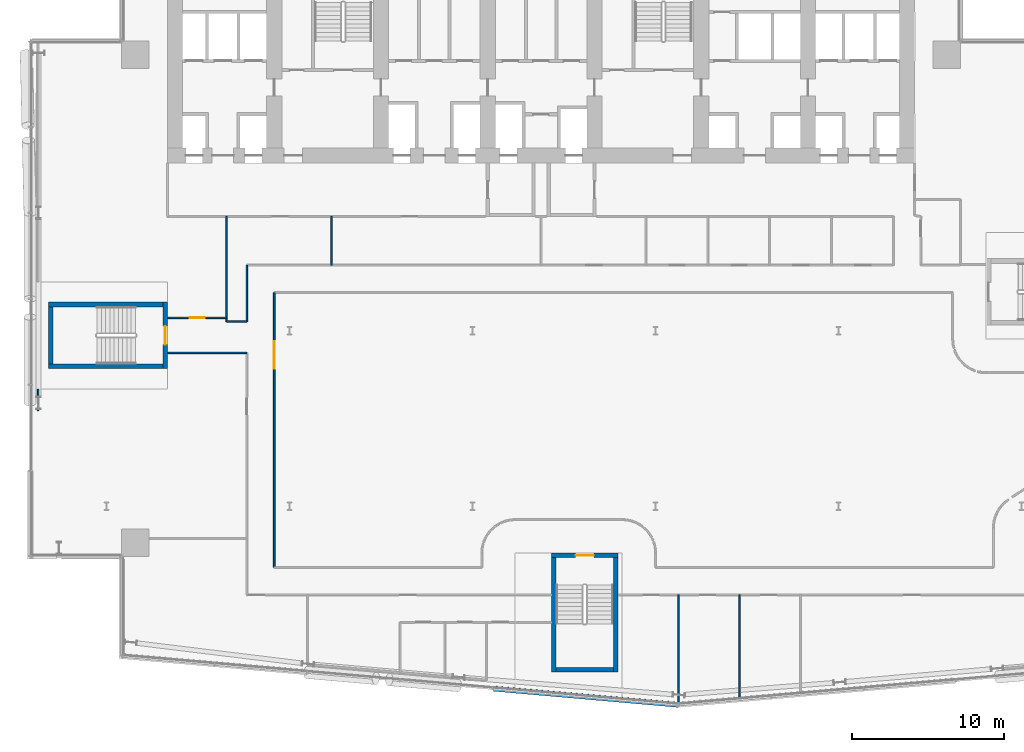
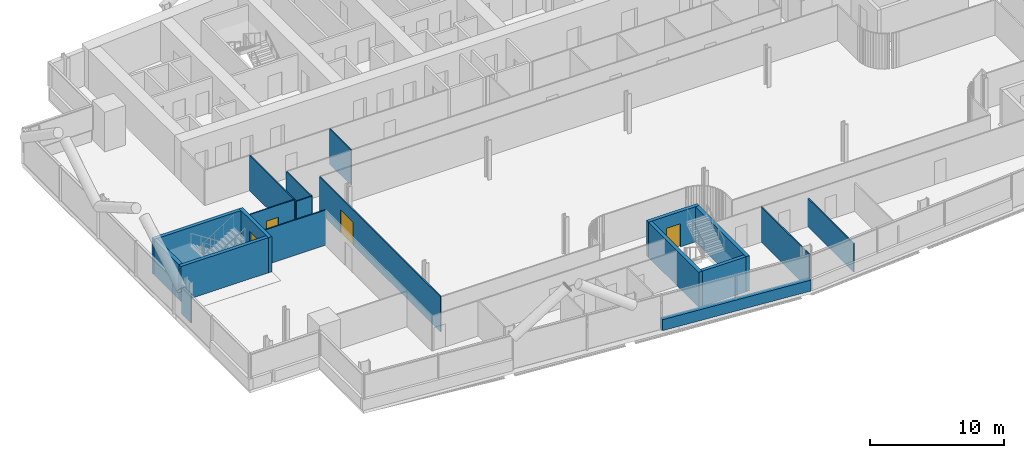
# One storey, part 15 of 30: 19 walls, 4 doors, 4 openings.
"""IFC4 building model written with IfcOpenShell, lengths in metres."""

from ifc_helpers import new_model, si_unit, direction, frame, frame_2d, origin, place, context, subcontext, project, spatial, rectangle, extrude, material, layer, layer_set, type_object, element, fill, save


model = new_model("IFC4")

# Units and contexts
model_context = context("Model", 3, precision=1e-05, world=origin(), true_north=direction((0.0, 1.0)))
body_context = subcontext(model_context, "Body", "Model", "MODEL_VIEW")
ifc_project = project(units=[si_unit("LENGTHUNIT", "METRE"), si_unit("AREAUNIT", "SQUARE_METRE"), si_unit("VOLUMEUNIT", "CUBIC_METRE"), si_unit("PLANEANGLEUNIT", "RADIAN"), si_unit("MASSUNIT", "GRAM", prefix="KILO")], contexts=[model_context])

# Site, building, storey
site_placement = place(None, origin())
site = spatial("IfcSite", under=ifc_project, at=site_placement, CompositionType="ELEMENT")
building_placement = place(site_placement, origin())
building = spatial("IfcBuilding", under=site, at=building_placement, Name="Wharfspan Tower", CompositionType="ELEMENT")
storey_placement = place(building_placement, frame((0.0, 0.0, 107.5)))
storey = spatial("IfcBuildingStorey", under=building, at=storey_placement, Name="L24", CompositionType="ELEMENT", Elevation=107.5)

# Wall
ifc_material_1 = material(Name="Gypsum board on steel studs", Category="steel")
ifc_layer_1 = layer(ifc_material_1, 0.100098)
ifc_layer_set_1 = layer_set([ifc_layer_1], Name="Gypsum board on steel studs")
wall_type_1 = type_object("IfcWallType", Name="Compartment wall 100 EI 60", PredefinedType="PARTITIONING", material=ifc_layer_set_1)
wall_1_placement = place(storey_placement, frame((16.02002, 21.550049, 0.0), z_axis=(0.0, 0.0, 1.0), x_axis=(1.0, 0.0, 0.0)))
element("IfcWall", 1, at=wall_1_placement, inside=storey, type_object=wall_type_1, Name="Partition L24.w006", PredefinedType="PARTITIONING", context=body_context, shape_type="SweptSolid", body=[
    extrude(rectangle(XDim=5.179932, YDim=0.100098, at=frame_2d((2.589844, 0.0))), origin(), (0.0, 0.0, 1.0), 3.199951),
])

# Wall, opening, door
wall_2_placement = place(storey_placement, frame((16.02002, 23.850098, 0.0), z_axis=(0.0, 0.0, 1.0), x_axis=(1.0, 0.0, 0.0)))
wall_2 = element("IfcWall", 2, at=wall_2_placement, inside=storey, type_object=wall_type_1, Name="Partition L24.w007", PredefinedType="PARTITIONING", context=body_context, shape_type="SweptSolid", body=[
    extrude(rectangle(XDim=3.85498, YDim=0.100098, at=frame_2d((1.92749, 0.0))), origin(), (0.0, 0.0, 1.0), 3.199951),
])
opening_1_placement = place(wall_2_placement, frame((1.435059, 0.0, 0.0)))
opening_1 = element("IfcOpeningElement", 3, at=opening_1_placement, cuts=wall_2, Name="Opening B2-13", PredefinedType="OPENING", context=body_context, shape_type="SweptSolid", body=[
    extrude(rectangle(XDim=1.0, YDim=2.100098, at=frame_2d((0.5, 1.050049))), frame((0.0, 0.060059, 0.0), z_axis=(0.0, -1.0, 0.0), x_axis=(1.0, 0.0, 0.0)), (0.0, 0.0, 1.0), 0.120117),
])
ifc_material_2 = material(Name="Fire-rated timber door leaf in steel frame", Category="steel")
door_type_1 = type_object("IfcDoorType", Name="Door 1000 FD30S Right", OperationType="SINGLE_SWING_RIGHT", PredefinedType="DOOR", material=ifc_material_2)
door_1_placement = place(opening_1_placement, origin())
door_1 = element("IfcDoor", 4, at=door_1_placement, inside=storey, type_object=door_type_1, Name="Door B2-13", OperationType="SINGLE_SWING_RIGHT", OverallHeight=2.100098, OverallWidth=1.0, PredefinedType="DOOR", context=body_context, shape_type="SweptSolid", body=[
    extrude(rectangle(XDim=1.0, YDim=2.100098, at=frame_2d((0.5, 1.050049))), frame((0.0, 0.024902, 0.0), z_axis=(0.0, -1.0, 0.0), x_axis=(1.0, 0.0, 0.0)), (0.0, 0.0, 1.0), 0.050049),
])
fill(opening_1, door_1)

# Walls
wall_3_placement = place(storey_placement, frame((19.875, 23.600098, 0.0), z_axis=(0.0, 0.0, 1.0), x_axis=(0.0, 1.0, 0.0)))
element("IfcWall", 5, at=wall_3_placement, inside=storey, type_object=wall_type_1, Name="Partition L24.w008", PredefinedType="PARTITIONING", context=body_context, shape_type="SweptSolid", body=[
    extrude(rectangle(XDim=6.899902, YDim=0.100098, at=frame_2d((3.449951, 0.0))), origin(), (0.0, 0.0, 1.0), 3.199951),
])
wall_4_placement = place(storey_placement, frame((19.875, 23.600098, 0.0), z_axis=(0.0, 0.0, 1.0), x_axis=(1.0, 0.0, 0.0)))
element("IfcWall", 6, at=wall_4_placement, inside=storey, type_object=wall_type_1, Name="Partition L24.w009", PredefinedType="PARTITIONING", context=body_context, shape_type="SweptSolid", body=[
    extrude(rectangle(XDim=1.324951, YDim=0.100098, at=frame_2d((0.662598, 0.0))), origin(), (0.0, 0.0, 1.0), 3.199951),
])
wall_5_placement = place(storey_placement, frame((21.199951, 23.600098, 0.0), z_axis=(0.0, 0.0, 1.0), x_axis=(0.0, 1.0, 0.0)))
element("IfcWall", 7, at=wall_5_placement, inside=storey, type_object=wall_type_1, Name="Partition L24.w012", PredefinedType="PARTITIONING", context=body_context, shape_type="SweptSolid", body=[
    extrude(rectangle(XDim=3.699951, YDim=0.100098, at=frame_2d((1.850098, 0.0))), origin(), (0.0, 0.0, 1.0), 3.199951),
])

# Wall, opening, door
wall_6_placement = place(storey_placement, frame((23.0, 7.485107, 0.0), z_axis=(0.0, 0.0, 1.0), x_axis=(0.0, 1.0, 0.0)))
wall_6 = element("IfcWall", 8, at=wall_6_placement, inside=storey, type_object=wall_type_1, Name="Partition L24.w014", PredefinedType="PARTITIONING", context=body_context, shape_type="SweptSolid", body=[
    extrude(rectangle(XDim=18.014893, YDim=0.100098, at=frame_2d((9.007324, 0.0))), origin(), (0.0, 0.0, 1.0), 3.199951),
])
opening_2_placement = place(wall_6_placement, frame((13.028809, 0.0, 0.0)))
opening_2 = element("IfcOpeningElement", 9, at=opening_2_placement, cuts=wall_6, Name="Opening B2-12", PredefinedType="OPENING", context=body_context, shape_type="SweptSolid", body=[
    extrude(rectangle(XDim=1.800049, YDim=2.100098, at=frame_2d((0.899902, 1.050049))), frame((0.0, 0.060059, 0.0), z_axis=(0.0, -1.0, 0.0), x_axis=(1.0, 0.0, 0.0)), (0.0, 0.0, 1.0), 0.120117),
])
door_type_2 = type_object("IfcDoorType", Name="Door 1800 FD30S Double", OperationType="DOUBLE_DOOR_SINGLE_SWING", PredefinedType="DOOR", material=ifc_material_2)
door_2_placement = place(opening_2_placement, origin())
door_2 = element("IfcDoor", 10, at=door_2_placement, inside=storey, type_object=door_type_2, Name="Door B2-12", OperationType="DOUBLE_DOOR_SINGLE_SWING", OverallHeight=2.100098, OverallWidth=1.800049, PredefinedType="DOOR", context=body_context, shape_type="SweptSolid", body=[
    extrude(rectangle(XDim=1.800049, YDim=2.100098, at=frame_2d((0.899902, 1.050049))), frame((0.0, 0.024902, 0.0), z_axis=(0.0, -1.0, 0.0), x_axis=(1.0, 0.0, 0.0)), (0.0, 0.0, 1.0), 0.050049),
])
fill(opening_2, door_2)

# Walls
wall_7_placement = place(storey_placement, frame((26.75, 27.300049, 0.0), z_axis=(0.0, 0.0, 1.0), x_axis=(0.0, 1.0, 0.0)))
element("IfcWall", 11, at=wall_7_placement, inside=storey, type_object=wall_type_1, Name="Partition L24.w018", PredefinedType="PARTITIONING", context=body_context, shape_type="SweptSolid", body=[
    extrude(rectangle(XDim=3.199951, YDim=0.100098, at=frame_2d((1.600098, 0.0))), origin(), (0.0, 0.0, 1.0), 3.199951),
])
wall_8_placement = place(storey_placement, frame((49.5, -1.498291, 0.0), z_axis=(0.0, 0.0, 1.0), x_axis=(0.0, 1.0, 0.0)))
element("IfcWall", 12, at=wall_8_placement, inside=storey, type_object=wall_type_1, Name="Partition L24.w069", PredefinedType="PARTITIONING", context=body_context, shape_type="SweptSolid", body=[
    extrude(rectangle(XDim=7.178223, YDim=0.100098, at=frame_2d((3.589111, 0.0))), origin(), (0.0, 0.0, 1.0), 3.199951),
])
wall_9_placement = place(storey_placement, frame((53.5, -1.148193, 0.0), z_axis=(0.0, 0.0, 1.0), x_axis=(0.0, 1.0, 0.0)))
element("IfcWall", 13, at=wall_9_placement, inside=storey, type_object=wall_type_1, Name="Partition L24.w071", PredefinedType="PARTITIONING", context=body_context, shape_type="SweptSolid", body=[
    extrude(rectangle(XDim=6.828125, YDim=0.100098, at=frame_2d((3.414062, 0.0))), origin(), (0.0, 0.0, 1.0), 2.580078),
])
ifc_layer_2 = layer(ifc_material_1, 0.100098)
ifc_layer_set_2 = layer_set([ifc_layer_2], Name="Gypsum board on steel studs")
wall_type_2 = type_object("IfcWallType", Name="Partition 100", PredefinedType="PARTITIONING", material=ifc_layer_set_2)
wall_10_placement = place(storey_placement, frame((7.51001, 17.764893, 0.0), z_axis=(0.0, 0.0, 1.0), x_axis=(0.0, 1.0, 0.0)))
element("IfcWall", 14, at=wall_10_placement, inside=storey, type_object=wall_type_2, Name="Partition L24.w001", PredefinedType="PARTITIONING", context=body_context, shape_type="SweptSolid", body=[
    extrude(rectangle(XDim=1.415039, YDim=0.100098, at=frame_2d((0.70752, 0.0))), origin(), (0.0, 0.0, 1.0), 2.580078),
])
ifc_material_3 = material(Name="Concrete C40/50", Category="concrete")
ifc_layer_3 = layer(ifc_material_3, 0.350098)
ifc_layer_set_3 = layer_set([ifc_layer_3], Name="Concrete C40/50")
wall_type_3 = type_object("IfcWallType", Name="SPANDREL EXPOSED CONCRETE 350", PredefinedType="SOLIDWALL", material=ifc_layer_set_3)
wall_11_placement = place(storey_placement, frame((37.362793, -0.461426, 0.0), z_axis=(0.0, 0.0, 1.0), x_axis=(0.996194, -0.087159, 0.0)))
element("IfcWall", 15, at=wall_11_placement, inside=storey, type_object=wall_type_3, Name="Spandrel upstand L24 S1 2", PredefinedType="SOLIDWALL", context=body_context, shape_type="SweptSolid", body=[
    extrude(rectangle(XDim=12.19873, YDim=0.350098, at=frame_2d((6.099365, 0.0))), origin(), (0.0, 0.0, 1.0), 1.0),
])

# Wall, opening, door
ifc_layer_4 = layer(ifc_material_3, 0.300049)
ifc_layer_set_4 = layer_set([ifc_layer_4], Name="Concrete C40/50")
wall_type_4 = type_object("IfcWallType", Name="Stair core wall 300", PredefinedType="SHEAR", material=ifc_layer_set_4)
wall_12_placement = place(storey_placement, frame((15.850098, 20.524902, 0.0), z_axis=(0.0, 0.0, 1.0), x_axis=(0.0, 1.0, 0.0)))
wall_12 = element("IfcWall", 16, at=wall_12_placement, inside=storey, type_object=wall_type_4, Name="ST3 stair enclosure wall L24", PredefinedType="SHEAR", context=body_context, shape_type="SweptSolid", body=[
    extrude(rectangle(XDim=4.350098, YDim=0.300049, at=frame_2d((2.175049, 0.0))), origin(), (0.0, 0.0, 1.0), 3.199951),
])
opening_3_placement = place(wall_12_placement, frame((1.574951, 0.0, 0.0)))
opening_3 = element("IfcOpeningElement", 17, at=opening_3_placement, cuts=wall_12, Name="Opening SD3.L24", PredefinedType="OPENING", context=body_context, shape_type="SweptSolid", body=[
    extrude(rectangle(XDim=1.199951, YDim=2.100098, at=frame_2d((0.600098, 1.050049))), frame((0.0, 0.159912, 0.0), z_axis=(0.0, -1.0, 0.0), x_axis=(1.0, 0.0, 0.0)), (0.0, 0.0, 1.0), 0.320068),
])
ifc_material_4 = material(Name="Steel door leaf", Category="steel")
door_type_3 = type_object("IfcDoorType", Name="Stair door 1200x2100", OperationType="SINGLE_SWING_LEFT", PredefinedType="DOOR", material=ifc_material_4)
door_3_placement = place(opening_3_placement, origin())
door_3 = element("IfcDoor", 18, at=door_3_placement, inside=storey, type_object=door_type_3, Name="sd:L24:ST3z2", OperationType="SINGLE_SWING_RIGHT", OverallHeight=2.100098, OverallWidth=1.199951, PredefinedType="DOOR", context=body_context, shape_type="SweptSolid", body=[
    extrude(rectangle(XDim=1.199951, YDim=2.100098, at=frame_2d((0.600098, 1.050049))), frame((0.0, 0.024902, 0.0), z_axis=(0.0, -1.0, 0.0), x_axis=(1.0, 0.0, 0.0)), (0.0, 0.0, 1.0), 0.050049),
])
fill(opening_3, door_3)

wall_13_placement = place(storey_placement, frame((41.185303, 8.26709, 0.0), z_axis=(0.0, 0.0, 1.0), x_axis=(1.0, 0.0, 0.0)))
wall_13 = element("IfcWall", 19, at=wall_13_placement, inside=storey, type_object=wall_type_4, Name="ST4 stair enclosure wall L24", PredefinedType="SHEAR", context=body_context, shape_type="SweptSolid", body=[
    extrude(rectangle(XDim=4.350098, YDim=0.300049, at=frame_2d((2.175049, 0.0))), origin(), (0.0, 0.0, 1.0), 3.199951),
])
opening_4_placement = place(wall_13_placement, frame((1.574951, 0.0, 0.0)))
opening_4 = element("IfcOpeningElement", 20, at=opening_4_placement, cuts=wall_13, Name="Opening SD4.L24", PredefinedType="OPENING", context=body_context, shape_type="SweptSolid", body=[
    extrude(rectangle(XDim=1.199951, YDim=2.100098, at=frame_2d((0.600098, 1.050049))), frame((0.0, 0.159912, 0.0), z_axis=(0.0, -1.0, 0.0), x_axis=(1.0, 0.0, 0.0)), (0.0, 0.0, 1.0), 0.320068),
])
door_4_placement = place(opening_4_placement, origin())
door_4 = element("IfcDoor", 21, at=door_4_placement, inside=storey, type_object=door_type_3, Name="sd:L24:ST4z2", OperationType="SINGLE_SWING_RIGHT", OverallHeight=2.100098, OverallWidth=1.199951, PredefinedType="DOOR", context=body_context, shape_type="SweptSolid", body=[
    extrude(rectangle(XDim=1.199951, YDim=2.100098, at=frame_2d((0.600098, 1.050049))), frame((0.0, 0.024902, 0.0), z_axis=(0.0, -1.0, 0.0), x_axis=(1.0, 0.0, 0.0)), (0.0, 0.0, 1.0), 0.050049),
])
fill(opening_4, door_4)

# Walls
for number, where, z_axis, x_axis, name in (
    (22, (8.199951, 20.675049, 0.0), (0.0, 0.0, 1.0), (1.0, 0.0, 0.0), "ST3 stair enclosure wall L24"),
    (23, (8.199951, 24.725098, 0.0), (0.0, 0.0, 1.0), (1.0, 0.0, 0.0), "ST3 stair enclosure wall L24"),
):
    element("IfcWall", number, at=place(storey_placement, frame(where, z_axis=z_axis, x_axis=x_axis)), inside=storey, type_object=wall_type_4, Name=name, PredefinedType="SHEAR", context=body_context, shape_type="SweptSolid", body=[
        extrude(rectangle(XDim=7.5, YDim=0.300049, at=frame_2d((3.75, 0.0))), origin(), (0.0, 0.0, 1.0), 3.199951),
    ])
wall_14_placement = place(storey_placement, frame((8.350098, 20.824951, 0.0), z_axis=(0.0, 0.0, 1.0), x_axis=(0.0, 1.0, 0.0)))
element("IfcWall", 24, at=wall_14_placement, inside=storey, type_object=wall_type_4, Name="ST3 stair enclosure wall L24", PredefinedType="SHEAR", context=body_context, shape_type="SweptSolid", body=[
    extrude(rectangle(XDim=3.75, YDim=0.300049, at=frame_2d((1.875, 0.0))), origin(), (0.0, 0.0, 1.0), 3.199951),
])
for number, where, z_axis, x_axis, name in (
    (25, (41.335205, 0.616943, 0.0), (0.0, 0.0, 1.0), (0.0, 1.0, 0.0), "ST4 stair enclosure wall L24"),
    (26, (45.385254, 0.616943, 0.0), (0.0, 0.0, 1.0), (0.0, 1.0, 0.0), "ST4 stair enclosure wall L24"),
):
    element("IfcWall", number, at=place(storey_placement, frame(where, z_axis=z_axis, x_axis=x_axis)), inside=storey, type_object=wall_type_4, Name=name, PredefinedType="SHEAR", context=body_context, shape_type="SweptSolid", body=[
        extrude(rectangle(XDim=7.5, YDim=0.300049, at=frame_2d((3.75, 0.0))), origin(), (0.0, 0.0, 1.0), 3.199951),
    ])
wall_15_placement = place(storey_placement, frame((41.485352, 0.76709, 0.0), z_axis=(0.0, 0.0, 1.0), x_axis=(1.0, 0.0, 0.0)))
element("IfcWall", 27, at=wall_15_placement, inside=storey, type_object=wall_type_4, Name="ST4 stair enclosure wall L24", PredefinedType="SHEAR", context=body_context, shape_type="SweptSolid", body=[
    extrude(rectangle(XDim=3.75, YDim=0.300049, at=frame_2d((1.875, 0.0))), origin(), (0.0, 0.0, 1.0), 3.199951),
])

save(model, "model.ifc")
